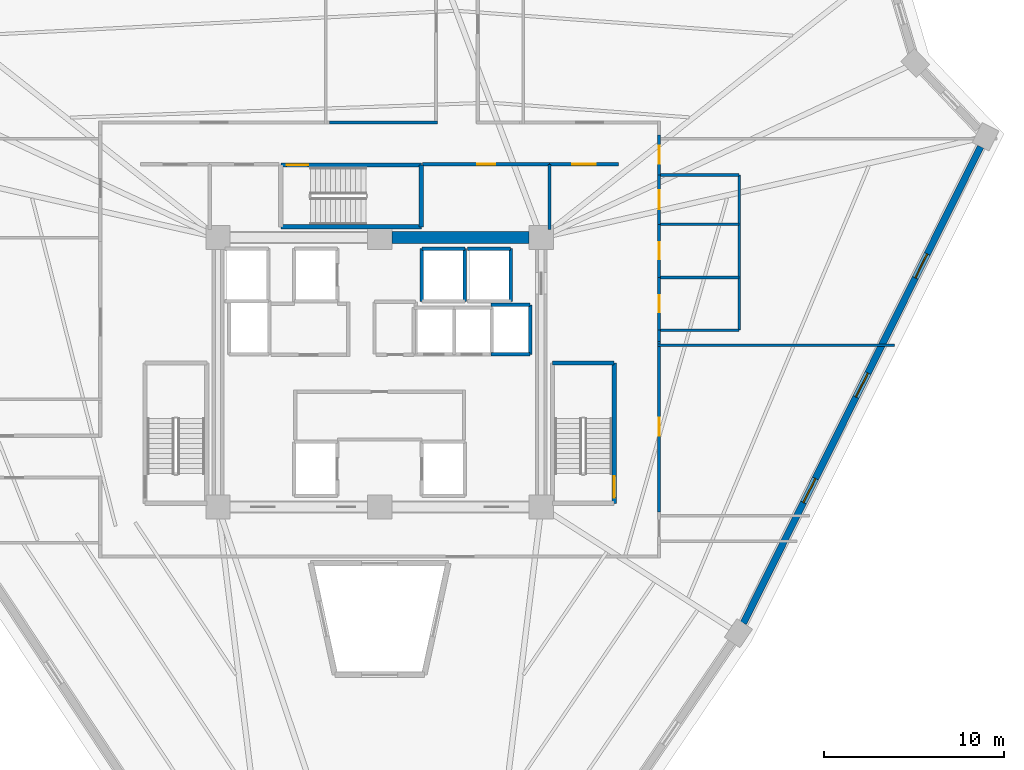
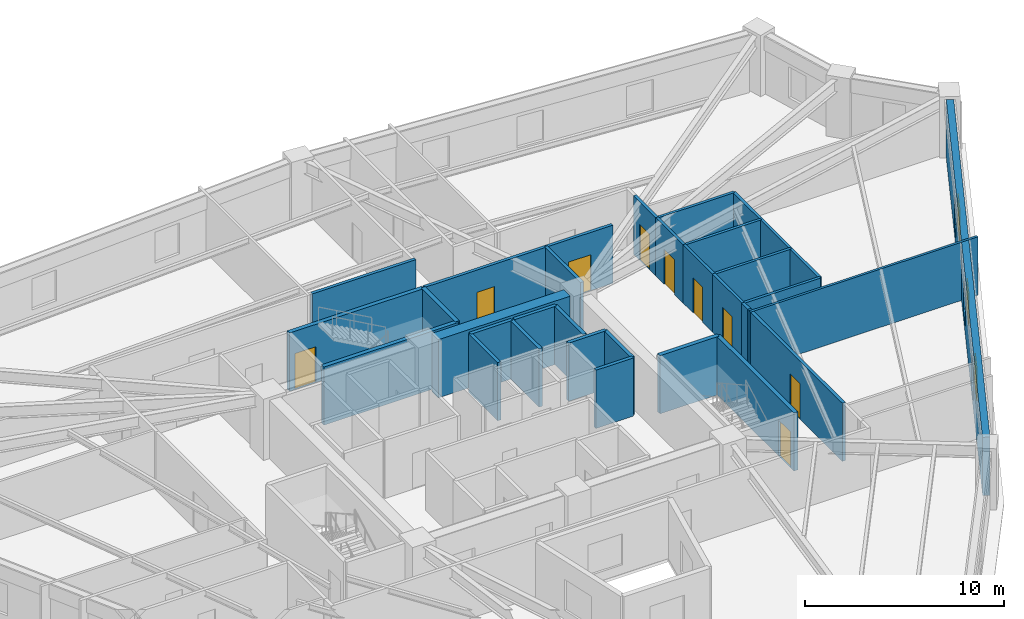
# One storey, part 6 of 8: 31 walls, 9 doors, 3 windows, 12 openings.
"""IFC4 building model written with IfcOpenShell, lengths in metres."""

from ifc_helpers import new_model, si_unit, direction, frame, frame_2d, origin, place, context, subcontext, project, spatial, rectangle, extrude, source, transform, mapped, material, layer, layer_set, type_object, element, fill, save


model = new_model("IFC4")

# Units and contexts
model_context = context("Model", 3, precision=1e-05, world=origin(), true_north=direction((0.0, 1.0)))
body_context = subcontext(model_context, "Body", "Model", "MODEL_VIEW")
ifc_project = project(units=[si_unit("LENGTHUNIT", "METRE"), si_unit("AREAUNIT", "SQUARE_METRE"), si_unit("VOLUMEUNIT", "CUBIC_METRE"), si_unit("PLANEANGLEUNIT", "RADIAN"), si_unit("MASSUNIT", "GRAM", prefix="KILO")], contexts=[model_context])

# Site, building, storey
site_placement = place(None, origin())
site = spatial("IfcSite", under=ifc_project, at=site_placement, CompositionType="ELEMENT")
building_placement = place(site_placement, origin())
building = spatial("IfcBuilding", under=site, at=building_placement, Name="Liaohun Quay Tower", CompositionType="ELEMENT")
storey_placement = place(building_placement, frame((0.0, 0.0, 201.75)))
storey = spatial("IfcBuildingStorey", under=building, at=storey_placement, Name="L52", CompositionType="ELEMENT", Elevation=201.75)

# Wall
ifc_material_1 = material(Name="Concrete C55", Category="concrete")
ifc_layer_1 = layer(ifc_material_1, 0.64990234375, Name="Concrete C55", Category="concrete")
ifc_layer_set_1 = layer_set([ifc_layer_1], Name="Concrete C55")
wall_type_1 = type_object("IfcWallType", Name="WAL-COR-Z3", PredefinedType="SHEAR", material=ifc_layer_set_1)
wall_1_placement = place(storey_placement, frame((60.675048828125, 61.5, 0.0), z_axis=(0.0, 0.0, 1.0), x_axis=(1.0, 0.0, 0.0)))
element("IfcWall", 1, at=wall_1_placement, inside=storey, type_object=wall_type_1, Name="L52 Central Core Shear Wall N-E", PredefinedType="SHEAR", context=body_context, shape_type="SweptSolid", body=[
    extrude(rectangle(XDim=7.64990234375, YDim=0.64990234375, at=frame_2d((3.824951171875, 0.0))), origin(), (0.0, 0.0, 1.0), 3.570068359375),
])

# Wall, openings, windows
ifc_material_2 = material(Name="Precast concrete C50 insulated sandwich", Category="concrete")
ifc_layer_2 = layer(ifc_material_2, 0.3798828125, Name="Precast concrete C50 insulated sandwich", Category="concrete")
ifc_layer_set_2 = layer_set([ifc_layer_2], Name="Precast concrete C50 insulated sandwich")
wall_type_2 = type_object("IfcWallType", Name="WAL-EXT-Z34", PredefinedType="SOLIDWALL", material=ifc_layer_set_2)
wall_2_placement = place(storey_placement, frame((80.2490234375, 40.02392578125, 0.0), z_axis=(0.0, 0.0, 1.0), x_axis=(0.445750225077, 0.895157381047, 0.0)))
wall_2 = element("IfcWall", 2, at=wall_2_placement, inside=storey, type_object=wall_type_2, Name="L52 Brutalist Precast Pier Wall 03", PredefinedType="SOLIDWALL", context=body_context, shape_type="SweptSolid", body=[
    extrude(rectangle(XDim=29.641845703125, YDim=0.3798828125, at=frame_2d((14.82080078125, 0.0))), origin(), (0.0, 0.0, 1.0), 3.570068359375),
])
shared_shape_1 = source(origin(), body_context, "Body", "SweptSolid", [
    extrude(rectangle(XDim=1.5, YDim=1.89990234375, at=frame_2d((0.75, 0.949951171875))), frame((0.0, 0.199951171875, 0.0), z_axis=(0.0, -1.0, 0.0), x_axis=(1.0, 0.0, 0.0)), (0.0, 0.0, 1.0), 0.39990234375),
])
opening_1_placement = place(wall_2_placement, frame((7.510009765625, 0.0, 0.550048828125)))
opening_1 = element("IfcOpeningElement", 3, at=opening_1_placement, cuts=wall_2, Name="Opening W03", PredefinedType="OPENING", context=body_context, shape_type="MappedRepresentation", body=[
    mapped(shared_shape_1, transform((0.0, 0.0, 0.0), x_axis=(1.0, 0.0, 0.0), y_axis=(0.0, 1.0, 0.0), z_axis=(0.0, 0.0, 1.0), scale=1.0)),
])
opening_2_placement = place(wall_2_placement, frame((14.071044921875, 0.0, 0.550048828125)))
opening_2 = element("IfcOpeningElement", 4, at=opening_2_placement, cuts=wall_2, Name="Opening W03", PredefinedType="OPENING", context=body_context, shape_type="MappedRepresentation", body=[
    mapped(shared_shape_1, transform((0.0, 0.0, 0.0), x_axis=(1.0, 0.0, 0.0), y_axis=(0.0, 1.0, 0.0), z_axis=(0.0, 0.0, 1.0), scale=1.0)),
])
opening_3_placement = place(wall_2_placement, frame((21.48095703125, 0.0, 0.550048828125)))
opening_3 = element("IfcOpeningElement", 5, at=opening_3_placement, cuts=wall_2, Name="Opening W03", PredefinedType="OPENING", context=body_context, shape_type="MappedRepresentation", body=[
    mapped(shared_shape_1, transform((0.0, 0.0, 0.0), x_axis=(1.0, 0.0, 0.0), y_axis=(0.0, 1.0, 0.0), z_axis=(0.0, 0.0, 1.0), scale=1.0)),
])
ifc_material_3 = material(Name="Triple Low-E argon glazing in thermally broken aluminium", Category="aluminium")
window_type = type_object("IfcWindowType", Name="WIN-PUN-Z3", PartitioningType="DOUBLE_PANEL_VERTICAL", PredefinedType="WINDOW", material=ifc_material_3)
shared_shape_2 = source(origin(), body_context, "Body", "SweptSolid", [
    extrude(rectangle(XDim=1.5, YDim=1.89990234375, at=frame_2d((0.75, 0.949951171875))), frame((0.0, 0.030029296875, 0.0), z_axis=(0.0, -1.0, 0.0), x_axis=(1.0, 0.0, 0.0)), (0.0, 0.0, 1.0), 0.06005859375),
])
window_1_placement = place(opening_1_placement, origin())
window_1 = element("IfcWindow", 6, at=window_1_placement, inside=storey, type_object=window_type, Name="L52 Recessed Cold-Climate Punched Window 03-1", OverallHeight=1.89990234375, OverallWidth=1.5, PartitioningType="DOUBLE_PANEL_VERTICAL", PredefinedType="WINDOW", context=body_context, shape_type="MappedRepresentation", body=[
    mapped(shared_shape_2, transform((0.0, 0.0, 0.0), x_axis=(1.0, 0.0, 0.0), y_axis=(0.0, 1.0, 0.0), z_axis=(0.0, 0.0, 1.0), scale=1.0)),
])
fill(opening_1, window_1)
window_2_placement = place(opening_2_placement, origin())
window_2 = element("IfcWindow", 7, at=window_2_placement, inside=storey, type_object=window_type, Name="L52 Recessed Cold-Climate Punched Window 03-2", OverallHeight=1.89990234375, OverallWidth=1.5, PartitioningType="DOUBLE_PANEL_VERTICAL", PredefinedType="WINDOW", context=body_context, shape_type="MappedRepresentation", body=[
    mapped(shared_shape_2, transform((0.0, 0.0, 0.0), x_axis=(1.0, 0.0, 0.0), y_axis=(0.0, 1.0, 0.0), z_axis=(0.0, 0.0, 1.0), scale=1.0)),
])
fill(opening_2, window_2)
window_3_placement = place(opening_3_placement, origin())
window_3 = element("IfcWindow", 8, at=window_3_placement, inside=storey, type_object=window_type, Name="L52 Recessed Cold-Climate Punched Window 03-3", OverallHeight=1.89990234375, OverallWidth=1.5, PartitioningType="DOUBLE_PANEL_VERTICAL", PredefinedType="WINDOW", context=body_context, shape_type="MappedRepresentation", body=[
    mapped(shared_shape_2, transform((0.0, 0.0, 0.0), x_axis=(1.0, 0.0, 0.0), y_axis=(0.0, 1.0, 0.0), z_axis=(0.0, 0.0, 1.0), scale=1.0)),
])
fill(opening_3, window_3)

# Wall, opening, door
ifc_material_4 = material(Name="Autoclaved aerated concrete blockwork", Category="masonry")
ifc_layer_3 = layer(ifc_material_4, 0.179931640625, Name="Autoclaved aerated concrete blockwork", Category="masonry")
ifc_layer_set_3 = layer_set([ifc_layer_3], Name="Autoclaved aerated concrete blockwork")
wall_type_3 = type_object("IfcWallType", Name="WAL-PRT-COR", PredefinedType="PARTITIONING", material=ifc_layer_set_3)
wall_3_placement = place(storey_placement, frame((62.389892578125, 65.580078125, 0.0), z_axis=(0.0, 0.0, 1.0), x_axis=(1.0, 0.0, 0.0)))
wall_3 = element("IfcWall", 9, at=wall_3_placement, inside=storey, type_object=wall_type_3, Name="L52 Interior Partition Wall 008", PredefinedType="PARTITIONING", context=body_context, shape_type="SweptSolid", body=[
    extrude(rectangle(XDim=7.070068359375, YDim=0.179931640625, at=frame_2d((3.53515625, 0.0))), origin(), (0.0, 0.0, 1.0), 3.570068359375),
])
shared_shape_3 = source(origin(), body_context, "Body", "SweptSolid", [
    extrude(rectangle(XDim=1.0, YDim=2.199951171875, at=frame_2d((0.5, 1.10009765625))), frame((0.0, 0.099853515625, 0.0), z_axis=(0.0, -1.0, 0.0), x_axis=(1.0, 0.0, 0.0)), (0.0, 0.0, 1.0), 0.199951171875),
])
opening_4_placement = place(wall_3_placement, frame((3.034912109375, 0.0, 0.0)))
opening_4 = element("IfcOpeningElement", 10, at=opening_4_placement, cuts=wall_3, Name="Opening OD1", PredefinedType="OPENING", context=body_context, shape_type="MappedRepresentation", body=[
    mapped(shared_shape_3, transform((0.0, 0.0, 0.0), x_axis=(1.0, 0.0, 0.0), y_axis=(0.0, 1.0, 0.0), z_axis=(0.0, 0.0, 1.0), scale=1.0)),
])
ifc_material_5 = material(Name="Solid-core oak veneer timber leaf in steel frame", Category="steel")
door_type_1 = type_object("IfcDoorType", Name="DOR-OFF-1000", OperationType="NOTDEFINED", PredefinedType="DOOR", material=ifc_material_5)
shared_shape_4 = source(origin(), body_context, "Body", "SweptSolid", [
    extrude(rectangle(XDim=1.0, YDim=2.199951171875, at=frame_2d((0.5, 1.10009765625))), frame((0.0, 0.02490234375, 0.0), z_axis=(0.0, -1.0, 0.0), x_axis=(1.0, 0.0, 0.0)), (0.0, 0.0, 1.0), 0.050048828125),
])
door_1_placement = place(opening_4_placement, origin())
door_1 = element("IfcDoor", 11, at=door_1_placement, inside=storey, type_object=door_type_1, Name="L52 North-East Archive and Mail Room Door", OperationType="SINGLE_SWING_LEFT", OverallHeight=2.199951171875, OverallWidth=1.0, PredefinedType="DOOR", context=body_context, shape_type="MappedRepresentation", body=[
    mapped(shared_shape_4, transform((0.0, 0.0, 0.0), x_axis=(1.0, 0.0, 0.0), y_axis=(0.0, 1.0, 0.0), z_axis=(0.0, 0.0, 1.0), scale=1.0)),
])
fill(opening_4, door_1)

wall_4_placement = place(storey_placement, frame((69.4599609375, 65.580078125, 0.0), z_axis=(0.0, 0.0, 1.0), x_axis=(1.0, 0.0, 0.0)))
wall_4 = element("IfcWall", 12, at=wall_4_placement, inside=storey, type_object=wall_type_3, Name="L52 Interior Partition Wall 010", PredefinedType="PARTITIONING", context=body_context, shape_type="SweptSolid", body=[
    extrude(rectangle(XDim=3.840087890625, YDim=0.179931640625, at=frame_2d((1.919921875, 0.0))), origin(), (0.0, 0.0, 1.0), 3.570068359375),
])
shared_shape_5 = source(origin(), body_context, "Body", "SweptSolid", [
    extrude(rectangle(XDim=1.300048828125, YDim=2.199951171875, at=frame_2d((0.64990234375, 1.10009765625))), frame((0.0, 0.099853515625, 0.0), z_axis=(0.0, -1.0, 0.0), x_axis=(1.0, 0.0, 0.0)), (0.0, 0.0, 1.0), 0.199951171875),
])
opening_5_placement = place(wall_4_placement, frame((1.27001953125, 0.0, 0.0)))
opening_5 = element("IfcOpeningElement", 13, at=opening_5_placement, cuts=wall_4, Name="Opening FD1", PredefinedType="OPENING", context=body_context, shape_type="MappedRepresentation", body=[
    mapped(shared_shape_5, transform((0.0, 0.0, 0.0), x_axis=(1.0, 0.0, 0.0), y_axis=(0.0, 1.0, 0.0), z_axis=(0.0, 0.0, 1.0), scale=1.0)),
])
ifc_material_6 = material(Name="Galvanised steel smokeproof fire door", Category="steel")
door_type_2 = type_object("IfcDoorType", Name="DOR-FFL-1300", OperationType="NOTDEFINED", PredefinedType="DOOR", material=ifc_material_6)
shared_shape_6 = source(origin(), body_context, "Body", "SweptSolid", [
    extrude(rectangle(XDim=1.300048828125, YDim=2.199951171875, at=frame_2d((0.64990234375, 1.10009765625))), frame((0.0, 0.02490234375, 0.0), z_axis=(0.0, -1.0, 0.0), x_axis=(1.0, 0.0, 0.0)), (0.0, 0.0, 1.0), 0.050048828125),
])
door_2_placement = place(opening_5_placement, origin())
door_2 = element("IfcDoor", 14, at=door_2_placement, inside=storey, type_object=door_type_2, Name="L52 East Core Vestibule Door", OperationType="SINGLE_SWING_LEFT", OverallHeight=2.199951171875, OverallWidth=1.300048828125, PredefinedType="DOOR", context=body_context, shape_type="MappedRepresentation", body=[
    mapped(shared_shape_6, transform((0.0, 0.0, 0.0), x_axis=(1.0, 0.0, 0.0), y_axis=(0.0, 1.0, 0.0), z_axis=(0.0, 0.0, 1.0), scale=1.0)),
])
fill(opening_5, door_2)

wall_5_placement = place(storey_placement, frame((75.56005859375, 67.215087890625, 0.0), z_axis=(0.0, 0.0, 1.0), x_axis=(0.0, -1.0, 0.0)))
wall_5 = element("IfcWall", 15, at=wall_5_placement, inside=storey, type_object=wall_type_3, Name="L52 Interior Partition Wall 011", PredefinedType="PARTITIONING", context=body_context, shape_type="SweptSolid", body=[
    extrude(rectangle(XDim=2.235107421875, YDim=0.179931640625, at=frame_2d((1.11767578125, 0.0))), origin(), (0.0, 0.0, 1.0), 3.570068359375),
])
opening_6_placement = place(wall_5_placement, frame((0.616943359375, 0.0, 0.0)))
opening_6 = element("IfcOpeningElement", 16, at=opening_6_placement, cuts=wall_5, Name="Opening OD1", PredefinedType="OPENING", context=body_context, shape_type="MappedRepresentation", body=[
    mapped(shared_shape_3, transform((0.0, 0.0, 0.0), x_axis=(1.0, 0.0, 0.0), y_axis=(0.0, 1.0, 0.0), z_axis=(0.0, 0.0, 1.0), scale=1.0)),
])
door_3_placement = place(opening_6_placement, origin())
door_3 = element("IfcDoor", 17, at=door_3_placement, inside=storey, type_object=door_type_1, Name="L52 Staff Daycare Nursery 01 Door", OperationType="SINGLE_SWING_RIGHT", OverallHeight=2.199951171875, OverallWidth=1.0, PredefinedType="DOOR", context=body_context, shape_type="MappedRepresentation", body=[
    mapped(shared_shape_4, transform((0.0, 0.0, 0.0), x_axis=(1.0, 0.0, 0.0), y_axis=(0.0, 1.0, 0.0), z_axis=(0.0, 0.0, 1.0), scale=1.0)),
])
fill(opening_6, door_3)

wall_6_placement = place(storey_placement, frame((75.56005859375, 55.715087890625, 0.0), z_axis=(0.0, 0.0, 1.0), x_axis=(0.0, -1.0, 0.0)))
wall_6 = element("IfcWall", 18, at=wall_6_placement, inside=storey, type_object=wall_type_3, Name="L52 Interior Partition Wall 022", PredefinedType="PARTITIONING", context=body_context, shape_type="SweptSolid", body=[
    extrude(rectangle(XDim=9.5, YDim=0.179931640625, at=frame_2d((4.75, 0.0))), origin(), (0.0, 0.0, 1.0), 3.570068359375),
])
opening_7_placement = place(wall_6_placement, frame((4.25, 0.0, 0.0)))
opening_7 = element("IfcOpeningElement", 19, at=opening_7_placement, cuts=wall_6, Name="Opening OD1", PredefinedType="OPENING", context=body_context, shape_type="MappedRepresentation", body=[
    mapped(shared_shape_3, transform((0.0, 0.0, 0.0), x_axis=(1.0, 0.0, 0.0), y_axis=(0.0, 1.0, 0.0), z_axis=(0.0, 0.0, 1.0), scale=1.0)),
])
door_4_placement = place(opening_7_placement, origin())
door_4 = element("IfcDoor", 20, at=door_4_placement, inside=storey, type_object=door_type_1, Name="L52 Client Reception Office 12 Door", OperationType="SINGLE_SWING_LEFT", OverallHeight=2.199951171875, OverallWidth=1.0, PredefinedType="DOOR", context=body_context, shape_type="MappedRepresentation", body=[
    mapped(shared_shape_4, transform((0.0, 0.0, 0.0), x_axis=(1.0, 0.0, 0.0), y_axis=(0.0, 1.0, 0.0), z_axis=(0.0, 0.0, 1.0), scale=1.0)),
])
fill(opening_7, door_4)

# Walls
wall_7_placement = place(storey_placement, frame((69.4599609375, 61.949951171875, 0.0), z_axis=(0.0, 0.0, 1.0), x_axis=(0.0, 1.0, 0.0)))
element("IfcWall", 21, at=wall_7_placement, inside=storey, type_object=wall_type_3, Name="L52 Interior Partition Wall 032", PredefinedType="PARTITIONING", context=body_context, shape_type="SweptSolid", body=[
    extrude(rectangle(XDim=3.630126953125, YDim=0.179931640625, at=frame_2d((1.81494140625, 0.0))), origin(), (0.0, 0.0, 1.0), 3.570068359375),
])
wall_8_placement = place(storey_placement, frame((75.56005859375, 56.340087890625, 0.0), z_axis=(0.0, 0.0, 1.0), x_axis=(0.0, -1.0, 0.0)))
element("IfcWall", 22, at=wall_8_placement, inside=storey, type_object=wall_type_3, Name="L52 Interior Partition Wall 033", PredefinedType="PARTITIONING", context=body_context, shape_type="SweptSolid", body=[
    extrude(rectangle(XDim=0.625, YDim=0.179931640625, at=frame_2d((0.3125, 0.0))), origin(), (0.0, 0.0, 1.0), 3.570068359375),
])
wall_9_placement = place(storey_placement, frame((57.215087890625, 67.909912109375, 0.0), z_axis=(0.0, 0.0, 1.0), x_axis=(1.0, 0.0, 0.0)))
element("IfcWall", 23, at=wall_9_placement, inside=storey, type_object=wall_type_3, Name="L52 Interior Partition Wall 036", PredefinedType="PARTITIONING", context=body_context, shape_type="SweptSolid", body=[
    extrude(rectangle(XDim=5.994873046875, YDim=0.179931640625, at=frame_2d((2.99755859375, 0.0))), origin(), (0.0, 0.0, 1.0), 3.570068359375),
])
ifc_material_7 = material(Name="Gypsum board on twin steel studs", Category="steel")
ifc_layer_4 = layer(ifc_material_7, 0.139892578125, Name="Gypsum board on twin steel studs", Category="steel")
ifc_layer_set_4 = layer_set([ifc_layer_4], Name="Gypsum board on twin steel studs")
wall_type_4 = type_object("IfcWallType", Name="WAL-PRT-OFF", PredefinedType="PARTITIONING", material=ifc_layer_set_4)
wall_10_placement = place(storey_placement, frame((75.4599609375, 55.5, 0.0), z_axis=(0.0, 0.0, 1.0), x_axis=(1.0, 0.0, 0.0)))
element("IfcWall", 24, at=wall_10_placement, inside=storey, type_object=wall_type_4, Name="L52 Interior Partition Wall 048", PredefinedType="PARTITIONING", context=body_context, shape_type="SweptSolid", body=[
    extrude(rectangle(XDim=13.198974609375, YDim=0.139892578125, at=frame_2d((6.599609375, 0.0))), origin(), (0.0, 0.0, 1.0), 3.570068359375),
])

# Wall, opening, door
ifc_material_8 = material(Name="Moisture-resistant masonry blockwork", Category="masonry")
ifc_layer_5 = layer(ifc_material_8, 0.159912109375, Name="Moisture-resistant masonry blockwork", Category="masonry")
ifc_layer_set_5 = layer_set([ifc_layer_5], Name="Moisture-resistant masonry blockwork")
wall_type_5 = type_object("IfcWallType", Name="WAL-PRT-WET", PredefinedType="PARTITIONING", material=ifc_layer_set_5)
wall_11_placement = place(storey_placement, frame((75.56005859375, 56.340087890625, 0.0), z_axis=(0.0, 0.0, 1.0), x_axis=(0.0, 1.0, 0.0)))
wall_11 = element("IfcWall", 25, at=wall_11_placement, inside=storey, type_object=wall_type_5, Name="L52 Interior Partition Wall 004", PredefinedType="PARTITIONING", context=body_context, shape_type="SweptSolid", body=[
    extrude(rectangle(XDim=2.93994140625, YDim=0.159912109375, at=frame_2d((1.469970703125, 0.0))), origin(), (0.0, 0.0, 1.0), 3.570068359375),
])
shared_shape_7 = source(origin(), body_context, "Body", "SweptSolid", [
    extrude(rectangle(XDim=0.949951171875, YDim=2.14990234375, at=frame_2d((0.47509765625, 1.074951171875))), frame((0.0, 0.08984375, 0.0), z_axis=(0.0, -1.0, 0.0), x_axis=(1.0, 0.0, 0.0)), (0.0, 0.0, 1.0), 0.179931640625),
])
opening_8_placement = place(wall_11_placement, frame((0.9951171875, 0.0, 0.0)))
opening_8 = element("IfcOpeningElement", 26, at=opening_8_placement, cuts=wall_11, Name="Opening WD1", PredefinedType="OPENING", context=body_context, shape_type="MappedRepresentation", body=[
    mapped(shared_shape_7, transform((0.0, 0.0, 0.0), x_axis=(1.0, 0.0, 0.0), y_axis=(0.0, 1.0, 0.0), z_axis=(0.0, 0.0, 1.0), scale=1.0)),
])
ifc_material_9 = material(Name="Moisture-resistant laminate timber leaf", Category="wood")
door_type_3 = type_object("IfcDoorType", Name="DOR-WC-950", OperationType="NOTDEFINED", PredefinedType="DOOR", material=ifc_material_9)
shared_shape_8 = source(origin(), body_context, "Body", "SweptSolid", [
    extrude(rectangle(XDim=0.949951171875, YDim=2.14990234375, at=frame_2d((0.47509765625, 1.074951171875))), frame((0.0, 0.02490234375, 0.0), z_axis=(0.0, -1.0, 0.0), x_axis=(1.0, 0.0, 0.0)), (0.0, 0.0, 1.0), 0.050048828125),
])
door_5_placement = place(opening_8_placement, origin())
door_5 = element("IfcDoor", 27, at=door_5_placement, inside=storey, type_object=door_type_3, Name="L52 Male Restroom WC Door", OperationType="SINGLE_SWING_LEFT", OverallHeight=2.14990234375, OverallWidth=0.949951171875, PredefinedType="DOOR", context=body_context, shape_type="MappedRepresentation", body=[
    mapped(shared_shape_8, transform((0.0, 0.0, 0.0), x_axis=(1.0, 0.0, 0.0), y_axis=(0.0, 1.0, 0.0), z_axis=(0.0, 0.0, 1.0), scale=1.0)),
])
fill(opening_8, door_5)

wall_12_placement = place(storey_placement, frame((75.56005859375, 59.280029296875, 0.0), z_axis=(0.0, 0.0, 1.0), x_axis=(0.0, 1.0, 0.0)))
wall_12 = element("IfcWall", 28, at=wall_12_placement, inside=storey, type_object=wall_type_5, Name="L52 Interior Partition Wall 005", PredefinedType="PARTITIONING", context=body_context, shape_type="SweptSolid", body=[
    extrude(rectangle(XDim=2.9599609375, YDim=0.159912109375, at=frame_2d((1.47998046875, 0.0))), origin(), (0.0, 0.0, 1.0), 3.570068359375),
])
opening_9_placement = place(wall_12_placement, frame((1.0048828125, 0.0, 0.0)))
opening_9 = element("IfcOpeningElement", 29, at=opening_9_placement, cuts=wall_12, Name="Opening WD1", PredefinedType="OPENING", context=body_context, shape_type="MappedRepresentation", body=[
    mapped(shared_shape_7, transform((0.0, 0.0, 0.0), x_axis=(1.0, 0.0, 0.0), y_axis=(0.0, 1.0, 0.0), z_axis=(0.0, 0.0, 1.0), scale=1.0)),
])
door_6_placement = place(opening_9_placement, origin())
door_6 = element("IfcDoor", 30, at=door_6_placement, inside=storey, type_object=door_type_3, Name="L52 Female Restroom WC Door", OperationType="SINGLE_SWING_RIGHT", OverallHeight=2.14990234375, OverallWidth=0.949951171875, PredefinedType="DOOR", context=body_context, shape_type="MappedRepresentation", body=[
    mapped(shared_shape_8, transform((0.0, 0.0, 0.0), x_axis=(1.0, 0.0, 0.0), y_axis=(0.0, 1.0, 0.0), z_axis=(0.0, 0.0, 1.0), scale=1.0)),
])
fill(opening_9, door_6)

wall_13_placement = place(storey_placement, frame((75.56005859375, 62.239990234375, 0.0), z_axis=(0.0, 0.0, 1.0), x_axis=(0.0, 1.0, 0.0)))
wall_13 = element("IfcWall", 31, at=wall_13_placement, inside=storey, type_object=wall_type_5, Name="L52 Interior Partition Wall 006", PredefinedType="PARTITIONING", context=body_context, shape_type="SweptSolid", body=[
    extrude(rectangle(XDim=2.739990234375, YDim=0.159912109375, at=frame_2d((1.3701171875, 0.0))), origin(), (0.0, 0.0, 1.0), 3.570068359375),
])
shared_shape_9 = source(origin(), body_context, "Body", "SweptSolid", [
    extrude(rectangle(XDim=1.050048828125, YDim=2.14990234375, at=frame_2d((0.52490234375, 1.074951171875))), frame((0.0, 0.08984375, 0.0), z_axis=(0.0, -1.0, 0.0), x_axis=(1.0, 0.0, 0.0)), (0.0, 0.0, 1.0), 0.179931640625),
])
opening_10_placement = place(wall_13_placement, frame((0.844970703125, 0.0, 0.0)))
opening_10 = element("IfcOpeningElement", 32, at=opening_10_placement, cuts=wall_13, Name="Opening WD2", PredefinedType="OPENING", context=body_context, shape_type="MappedRepresentation", body=[
    mapped(shared_shape_9, transform((0.0, 0.0, 0.0), x_axis=(1.0, 0.0, 0.0), y_axis=(0.0, 1.0, 0.0), z_axis=(0.0, 0.0, 1.0), scale=1.0)),
])
ifc_material_10 = material(Name="Accessible outward-swinging laminate door")
door_type_4 = type_object("IfcDoorType", Name="DOR-AWC-1050", OperationType="NOTDEFINED", PredefinedType="DOOR", material=ifc_material_10)
shared_shape_10 = source(origin(), body_context, "Body", "SweptSolid", [
    extrude(rectangle(XDim=1.050048828125, YDim=2.14990234375, at=frame_2d((0.52490234375, 1.074951171875))), frame((0.0, 0.02490234375, 0.0), z_axis=(0.0, -1.0, 0.0), x_axis=(1.0, 0.0, 0.0)), (0.0, 0.0, 1.0), 0.050048828125),
])
door_7_placement = place(opening_10_placement, origin())
door_7 = element("IfcDoor", 33, at=door_7_placement, inside=storey, type_object=door_type_4, Name="L52 Accessible WC Door", OperationType="SINGLE_SWING_LEFT", OverallHeight=2.14990234375, OverallWidth=1.050048828125, PredefinedType="DOOR", context=body_context, shape_type="MappedRepresentation", body=[
    mapped(shared_shape_10, transform((0.0, 0.0, 0.0), x_axis=(1.0, 0.0, 0.0), y_axis=(0.0, 1.0, 0.0), z_axis=(0.0, 0.0, 1.0), scale=1.0)),
])
fill(opening_10, door_7)

# Walls
wall_14_placement = place(storey_placement, frame((80.02001953125, 56.340087890625, 0.0), z_axis=(0.0, 0.0, 1.0), x_axis=(0.0, 1.0, 0.0)))
element("IfcWall", 34, at=wall_14_placement, inside=storey, type_object=wall_type_5, Name="L52 Interior Partition Wall 026", PredefinedType="PARTITIONING", context=body_context, shape_type="SweptSolid", body=[
    extrude(rectangle(XDim=8.639892578125, YDim=0.159912109375, at=frame_2d((4.31982421875, 0.0))), origin(), (0.0, 0.0, 1.0), 3.570068359375),
])
for number, where, z_axis, x_axis, name in (
    (35, (75.56005859375, 56.340087890625, 0.0), (0.0, 0.0, 1.0), (1.0, 0.0, 0.0), "L52 Interior Partition Wall 027"),
    (36, (75.56005859375, 59.280029296875, 0.0), (0.0, 0.0, 1.0), (1.0, 0.0, 0.0), "L52 Interior Partition Wall 028"),
    (37, (75.56005859375, 62.239990234375, 0.0), (0.0, 0.0, 1.0), (1.0, 0.0, 0.0), "L52 Interior Partition Wall 029"),
    (38, (75.56005859375, 64.97998046875, 0.0), (0.0, 0.0, 1.0), (1.0, 0.0, 0.0), "L52 Interior Partition Wall 030"),
):
    element("IfcWall", number, at=place(storey_placement, frame(where, z_axis=z_axis, x_axis=x_axis)), inside=storey, type_object=wall_type_5, Name=name, PredefinedType="PARTITIONING", context=body_context, shape_type="SweptSolid", body=[
        extrude(rectangle(XDim=4.4599609375, YDim=0.159912109375, at=frame_2d((2.22998046875, 0.0))), origin(), (0.0, 0.0, 1.0), 3.570068359375),
    ])

# Wall, opening, door
ifc_material_11 = material(Name="Concrete C50", Category="concrete")
ifc_layer_6 = layer(ifc_material_11, 0.239990234375, Name="Concrete C50", Category="concrete")
ifc_layer_set_6 = layer_set([ifc_layer_6], Name="Concrete C50")
wall_type_6 = type_object("IfcWallType", Name="WAL-SHF-200", PredefinedType="SOLIDWALL", material=ifc_layer_set_6)
wall_15_placement = place(storey_placement, frame((73.06005859375, 46.699951171875, 0.0), z_axis=(0.0, 0.0, 1.0), x_axis=(0.0, 1.0, 0.0)))
wall_15 = element("IfcWall", 39, at=wall_15_placement, inside=storey, type_object=wall_type_6, Name="L52 Stairwell ST-2 Structural Core Wall E", PredefinedType="SOLIDWALL", context=body_context, shape_type="SweptSolid", body=[
    extrude(rectangle(XDim=7.820068359375, YDim=0.239990234375, at=frame_2d((3.91015625, 0.0))), origin(), (0.0, 0.0, 1.0), 3.570068359375),
])
shared_shape_11 = source(origin(), body_context, "Body", "SweptSolid", [
    extrude(rectangle(XDim=1.199951171875, YDim=2.199951171875, at=frame_2d((0.60009765625, 1.10009765625))), frame((0.0, 0.1298828125, 0.0), z_axis=(0.0, -1.0, 0.0), x_axis=(1.0, 0.0, 0.0)), (0.0, 0.0, 1.0), 0.260009765625),
])
opening_11_placement = place(wall_15_placement, frame((0.320068359375, 0.0, 0.0)))
opening_11 = element("IfcOpeningElement", 40, at=opening_11_placement, cuts=wall_15, Name="Opening SD1", PredefinedType="OPENING", context=body_context, shape_type="MappedRepresentation", body=[
    mapped(shared_shape_11, transform((0.0, 0.0, 0.0), x_axis=(1.0, 0.0, 0.0), y_axis=(0.0, 1.0, 0.0), z_axis=(0.0, 0.0, 1.0), scale=1.0)),
])
ifc_material_12 = material(Name="Galvanised steel fire door", Category="steel")
door_type_5 = type_object("IfcDoorType", Name="DOR-STR-1200", OperationType="NOTDEFINED", PredefinedType="DOOR", material=ifc_material_12)
shared_shape_12 = source(origin(), body_context, "Body", "SweptSolid", [
    extrude(rectangle(XDim=1.199951171875, YDim=2.199951171875, at=frame_2d((0.60009765625, 1.10009765625))), frame((0.0, 0.02490234375, 0.0), z_axis=(0.0, -1.0, 0.0), x_axis=(1.0, 0.0, 0.0)), (0.0, 0.0, 1.0), 0.050048828125),
])
door_8_placement = place(opening_11_placement, origin())
door_8 = element("IfcDoor", 41, at=door_8_placement, inside=storey, type_object=door_type_5, Name="L52 Protected Stair ST-2 Fire Door", OperationType="SINGLE_SWING_RIGHT", OverallHeight=2.199951171875, OverallWidth=1.199951171875, PredefinedType="DOOR", context=body_context, shape_type="MappedRepresentation", body=[
    mapped(shared_shape_12, transform((0.0, 0.0, 0.0), x_axis=(1.0, 0.0, 0.0), y_axis=(0.0, 1.0, 0.0), z_axis=(0.0, 0.0, 1.0), scale=1.0)),
])
fill(opening_11, door_8)

# Walls
wall_16_placement = place(storey_placement, frame((73.06005859375, 54.52001953125, 0.0), z_axis=(0.0, 0.0, 1.0), x_axis=(-1.0, 0.0, 0.0)))
element("IfcWall", 42, at=wall_16_placement, inside=storey, type_object=wall_type_6, Name="L52 Stairwell ST-2 Structural Core Wall N", PredefinedType="SOLIDWALL", context=body_context, shape_type="SweptSolid", body=[
    extrude(rectangle(XDim=3.43994140625, YDim=0.239990234375, at=frame_2d((1.719970703125, 0.0))), origin(), (0.0, 0.0, 1.0), 3.570068359375),
])
wall_17_placement = place(storey_placement, frame((54.5, 62.10009765625, 0.0), z_axis=(0.0, 0.0, 1.0), x_axis=(1.0, 0.0, 0.0)))
element("IfcWall", 43, at=wall_17_placement, inside=storey, type_object=wall_type_6, Name="L52 Stairwell ST-3 Structural Core Wall S", PredefinedType="SOLIDWALL", context=body_context, shape_type="SweptSolid", body=[
    extrude(rectangle(XDim=7.820068359375, YDim=0.239990234375, at=frame_2d((3.91015625, 0.0))), origin(), (0.0, 0.0, 1.0), 3.570068359375),
])
wall_18_placement = place(storey_placement, frame((62.320068359375, 62.10009765625, 0.0), z_axis=(0.0, 0.0, 1.0), x_axis=(0.0, 1.0, 0.0)))
element("IfcWall", 44, at=wall_18_placement, inside=storey, type_object=wall_type_6, Name="L52 Stairwell ST-3 Structural Core Wall E", PredefinedType="SOLIDWALL", context=body_context, shape_type="SweptSolid", body=[
    extrude(rectangle(XDim=3.43994140625, YDim=0.239990234375, at=frame_2d((1.719970703125, 0.0))), origin(), (0.0, 0.0, 1.0), 3.570068359375),
])

# Wall, opening, door
wall_19_placement = place(storey_placement, frame((62.320068359375, 65.5400390625, 0.0), z_axis=(0.0, 0.0, 1.0), x_axis=(-1.0, 0.0, 0.0)))
wall_19 = element("IfcWall", 45, at=wall_19_placement, inside=storey, type_object=wall_type_6, Name="L52 Stairwell ST-3 Structural Core Wall N", PredefinedType="SOLIDWALL", context=body_context, shape_type="SweptSolid", body=[
    extrude(rectangle(XDim=7.820068359375, YDim=0.239990234375, at=frame_2d((3.91015625, 0.0))), origin(), (0.0, 0.0, 1.0), 3.570068359375),
])
opening_12_placement = place(wall_19_placement, frame((6.300048828125, 0.0, 0.0)))
opening_12 = element("IfcOpeningElement", 46, at=opening_12_placement, cuts=wall_19, Name="Opening SD1", PredefinedType="OPENING", context=body_context, shape_type="MappedRepresentation", body=[
    mapped(shared_shape_11, transform((0.0, 0.0, 0.0), x_axis=(1.0, 0.0, 0.0), y_axis=(0.0, 1.0, 0.0), z_axis=(0.0, 0.0, 1.0), scale=1.0)),
])
door_9_placement = place(opening_12_placement, origin())
door_9 = element("IfcDoor", 47, at=door_9_placement, inside=storey, type_object=door_type_5, Name="L52 Protected Stair ST-3 Fire Door", OperationType="SINGLE_SWING_RIGHT", OverallHeight=2.199951171875, OverallWidth=1.199951171875, PredefinedType="DOOR", context=body_context, shape_type="MappedRepresentation", body=[
    mapped(shared_shape_12, transform((0.0, 0.0, 0.0), x_axis=(1.0, 0.0, 0.0), y_axis=(0.0, 1.0, 0.0), z_axis=(0.0, 0.0, 1.0), scale=1.0)),
])
fill(opening_12, door_9)

# Walls
wall_20_placement = place(storey_placement, frame((64.75, 57.949951171875, 0.0), z_axis=(0.0, 0.0, 1.0), x_axis=(0.0, 1.0, 0.0)))
element("IfcWall", 48, at=wall_20_placement, inside=storey, type_object=wall_type_6, Name="L52 Lift OB-01 Hoistway Wall E", PredefinedType="SOLIDWALL", context=body_context, shape_type="SweptSolid", body=[
    extrude(rectangle(XDim=2.929931640625, YDim=0.199951171875, at=frame_2d((1.46484375, 0.0))), origin(), (0.0, 0.0, 1.0), 3.570068359375),
])
wall_21_placement = place(storey_placement, frame((64.75, 60.8798828125, 0.0), z_axis=(0.0, 0.0, 1.0), x_axis=(-1.0, 0.0, 0.0)))
element("IfcWall", 49, at=wall_21_placement, inside=storey, type_object=wall_type_6, Name="L52 Lift OB-01 Hoistway Wall N", PredefinedType="SOLIDWALL", context=body_context, shape_type="SweptSolid", body=[
    extrude(rectangle(XDim=2.39990234375, YDim=0.199951171875, at=frame_2d((1.199951171875, 0.0))), origin(), (0.0, 0.0, 1.0), 3.570068359375),
])
for number, where, z_axis, x_axis, name in (
    (50, (62.35009765625, 60.8798828125, 0.0), (0.0, 0.0, 1.0), (0.0, -1.0, 0.0), "L52 Lift OB-01 Hoistway Wall W"),
    (51, (67.300048828125, 57.949951171875, 0.0), (0.0, 0.0, 1.0), (0.0, 1.0, 0.0), "L52 Lift OB-02 Hoistway Wall E"),
):
    element("IfcWall", number, at=place(storey_placement, frame(where, z_axis=z_axis, x_axis=x_axis)), inside=storey, type_object=wall_type_6, Name=name, PredefinedType="SOLIDWALL", context=body_context, shape_type="SweptSolid", body=[
        extrude(rectangle(XDim=2.929931640625, YDim=0.199951171875, at=frame_2d((1.46484375, 0.0))), origin(), (0.0, 0.0, 1.0), 3.570068359375),
    ])
wall_22_placement = place(storey_placement, frame((67.300048828125, 60.8798828125, 0.0), z_axis=(0.0, 0.0, 1.0), x_axis=(-1.0, 0.0, 0.0)))
element("IfcWall", 52, at=wall_22_placement, inside=storey, type_object=wall_type_6, Name="L52 Lift OB-02 Hoistway Wall N", PredefinedType="SOLIDWALL", context=body_context, shape_type="SweptSolid", body=[
    extrude(rectangle(XDim=2.400146484375, YDim=0.199951171875, at=frame_2d((1.2001953125, 0.0))), origin(), (0.0, 0.0, 1.0), 3.570068359375),
])
wall_23_placement = place(storey_placement, frame((66.199951171875, 55.0, 0.0), z_axis=(0.0, 0.0, 1.0), x_axis=(1.0, 0.0, 0.0)))
element("IfcWall", 53, at=wall_23_placement, inside=storey, type_object=wall_type_6, Name="L52 Lift SH-03 Hoistway Wall S", PredefinedType="SOLIDWALL", context=body_context, shape_type="SweptSolid", body=[
    extrude(rectangle(XDim=2.179931640625, YDim=0.199951171875, at=frame_2d((1.08984375, 0.0))), origin(), (0.0, 0.0, 1.0), 3.570068359375),
])
wall_24_placement = place(storey_placement, frame((68.3798828125, 55.0, 0.0), z_axis=(0.0, 0.0, 1.0), x_axis=(0.0, 1.0, 0.0)))
element("IfcWall", 54, at=wall_24_placement, inside=storey, type_object=wall_type_6, Name="L52 Lift SH-03 Hoistway Wall E", PredefinedType="SOLIDWALL", context=body_context, shape_type="SweptSolid", body=[
    extrude(rectangle(XDim=2.75, YDim=0.199951171875, at=frame_2d((1.375, 0.0))), origin(), (0.0, 0.0, 1.0), 3.570068359375),
])
wall_25_placement = place(storey_placement, frame((68.3798828125, 57.75, 0.0), z_axis=(0.0, 0.0, 1.0), x_axis=(-1.0, 0.0, 0.0)))
element("IfcWall", 55, at=wall_25_placement, inside=storey, type_object=wall_type_6, Name="L52 Lift SH-03 Hoistway Wall N", PredefinedType="SOLIDWALL", context=body_context, shape_type="SweptSolid", body=[
    extrude(rectangle(XDim=2.179931640625, YDim=0.199951171875, at=frame_2d((1.08984375, 0.0))), origin(), (0.0, 0.0, 1.0), 3.570068359375),
])

save(model, "model.ifc")
